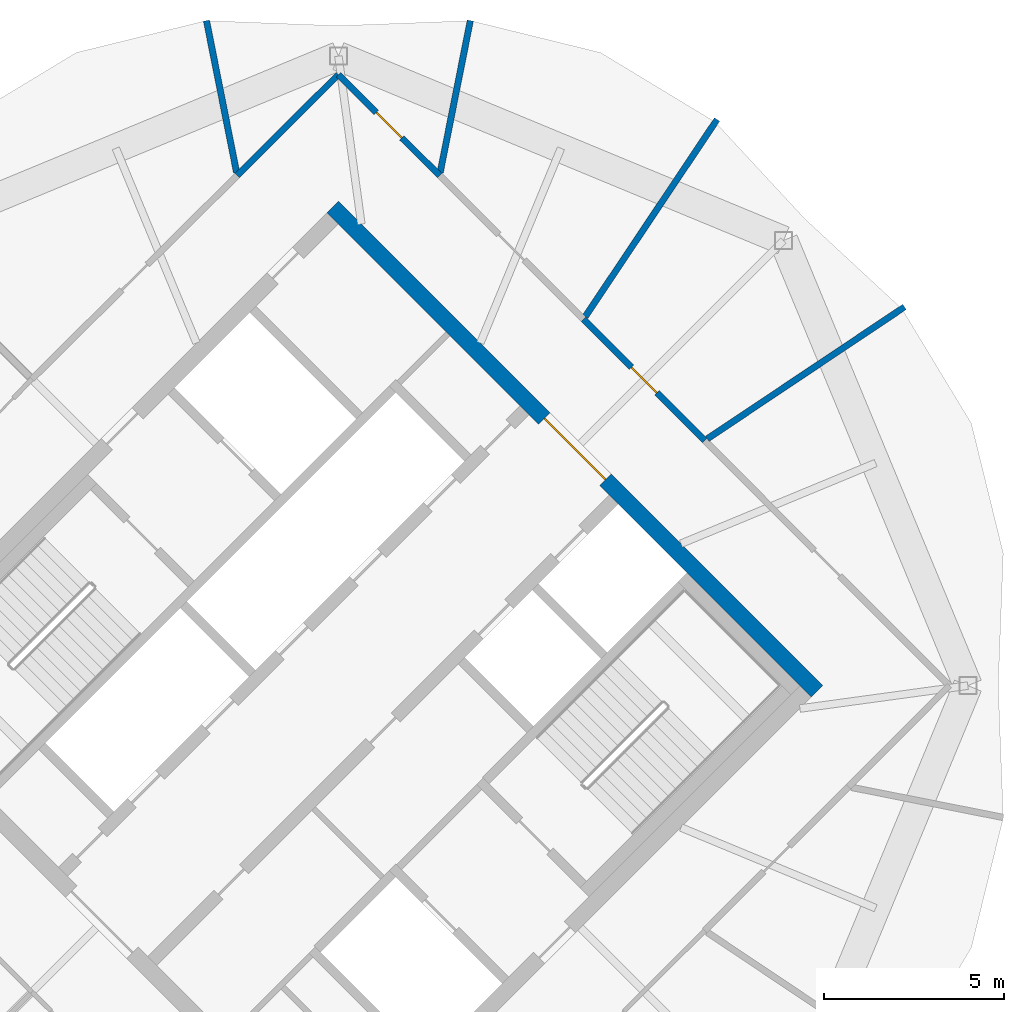
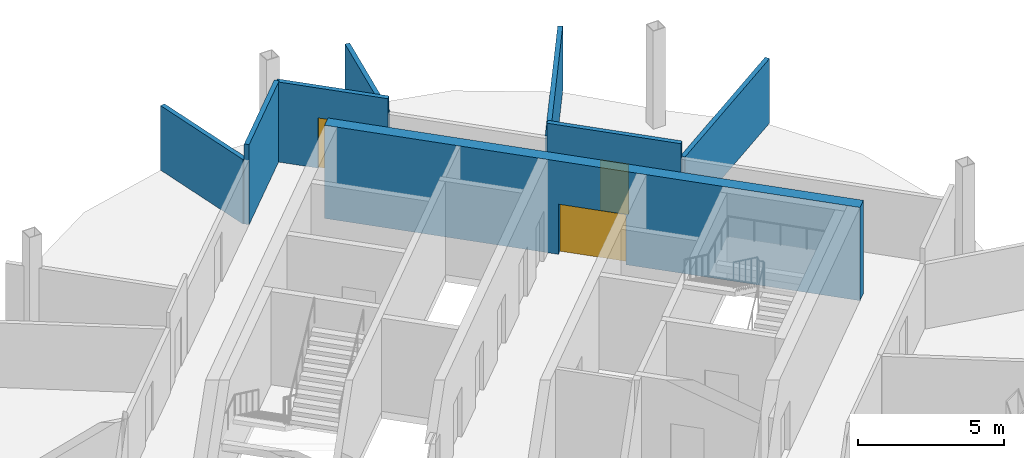
# One storey, part 9 of 11: 8 walls, 3 doors, 3 openings.
"""IFC4 building model written with IfcOpenShell, lengths in metres."""

from ifc_helpers import new_model, si_unit, direction, frame, frame_2d, origin, place, context, subcontext, project, spatial, rectangle, extrude, material, layer, layer_set, type_object, element, fill, save


model = new_model("IFC4")

# Units and contexts
model_context = context("Model", 3, precision=1e-05, world=origin(), true_north=direction((0.0, 1.0)))
body_context = subcontext(model_context, "Body", "Model", "MODEL_VIEW")
ifc_project = project(units=[si_unit("LENGTHUNIT", "METRE"), si_unit("AREAUNIT", "SQUARE_METRE"), si_unit("VOLUMEUNIT", "CUBIC_METRE"), si_unit("PLANEANGLEUNIT", "RADIAN"), si_unit("MASSUNIT", "GRAM", prefix="KILO")], contexts=[model_context])

# Site, building, storey
site_placement = place(None, origin())
site = spatial("IfcSite", under=ifc_project, at=site_placement, CompositionType="ELEMENT")
building_placement = place(site_placement, origin())
building = spatial("IfcBuilding", under=site, at=building_placement, Name="Ogive Gate Towers", CompositionType="ELEMENT")
storey_placement = place(building_placement, frame((0.0, 0.0, 289.800048828125)))
storey = spatial("IfcBuildingStorey", under=building, at=storey_placement, Name="L68", CompositionType="ELEMENT", Elevation=289.800048828125)

# Walls
ifc_material_1 = material(Name="Gypsum board acoustic partition")
ifc_layer_1 = layer(ifc_material_1, 0.175048828125)
ifc_layer_set_1 = layer_set([ifc_layer_1], Name="Acoustic partition 175")
wall_type_1 = type_object("IfcWallType", Name="Acoustic partition 175", PredefinedType="PARTITIONING", material=ifc_layer_set_1)
for number, where, z_axis, x_axis, name in (
    (1, (51.697509765625, 10.5, 0.0), (0.0, 0.0, 1.0), (-0.831198479299, -0.555975798045, 0.0), "Partition T2-L68-001"),
    (2, (46.5, 15.697509765625, 0.0), (0.0, 0.0, 1.0), (-0.555975798045, -0.831198479299, 0.0), "Partition T2-L68-002"),
):
    element("IfcWall", number, at=place(storey_placement, frame(where, z_axis=z_axis, x_axis=x_axis)), inside=storey, type_object=wall_type_1, Name=name, PredefinedType="PARTITIONING", context=body_context, shape_type="SweptSolid", body=[
        extrude(rectangle(XDim=6.57763671875, YDim=0.175048828125, at=frame_2d((3.288818359375, 0.0))), origin(), (0.0, 0.0, 1.0), 2.699951171875),
    ])
for number, where, z_axis, x_axis, name in (
    (3, (39.658203125, 18.440185546875, 0.0), (0.0, 0.0, 1.0), (-0.194562365851, -0.980890149708, 0.0), "Partition T2-L68-003"),
    (4, (32.341796875, 18.440185546875, 0.0), (0.0, 0.0, 1.0), (0.194562365851, -0.980890149708, 0.0), "Partition T2-L68-004"),
):
    element("IfcWall", number, at=place(storey_placement, frame(where, z_axis=z_axis, x_axis=x_axis)), inside=storey, type_object=wall_type_1, Name=name, PredefinedType="PARTITIONING", context=body_context, shape_type="SweptSolid", body=[
        extrude(rectangle(XDim=4.29150390625, YDim=0.175048828125, at=frame_2d((2.145751953125, 0.0))), origin(), (0.0, 0.0, 1.0), 2.699951171875),
    ])

# Wall, opening, door
wall_1_placement = place(storey_placement, frame((46.15771484375, 6.79443359375, 0.0), z_axis=(0.0, 0.0, 1.0), x_axis=(-0.707106781187, 0.707106781187, 0.0)))
wall_1 = element("IfcWall", 5, at=wall_1_placement, inside=storey, type_object=wall_type_1, Name="Partition T2-L68-019", PredefinedType="PARTITIONING", context=body_context, shape_type="SweptSolid", body=[
    extrude(rectangle(XDim=4.75634765625, YDim=0.175048828125, at=frame_2d((2.378173828125, 0.0))), origin(), (0.0, 0.0, 1.0), 3.349853515625),
])
opening_1_placement = place(wall_1_placement, frame((1.8779296875, 0.0, 0.0)))
opening_1 = element("IfcOpeningElement", 6, at=opening_1_placement, cuts=wall_1, Name="Opening T2-L68-D04", PredefinedType="OPENING", context=body_context, shape_type="SweptSolid", body=[
    extrude(rectangle(XDim=1.0, YDim=2.10009765625, at=frame_2d((0.5, 1.050048828125))), frame((0.0, 0.09765625, 0.0), z_axis=(0.0, -1.0, 0.0), x_axis=(1.0, 0.0, 0.0)), (0.0, 0.0, 1.0), 0.195068359375),
])
ifc_material_2 = material(Name="Timber door", Category="wood")
door_type_1 = type_object("IfcDoorType", Name="Door 1000", OperationType="NOTDEFINED", PredefinedType="DOOR", material=ifc_material_2)
door_1_placement = place(opening_1_placement, origin())
door_1 = element("IfcDoor", 7, at=door_1_placement, inside=storey, type_object=door_type_1, Name="Door T2-L68-D04", OperationType="SINGLE_SWING_RIGHT", OverallHeight=2.10009765625, OverallWidth=1.0, PredefinedType="DOOR", context=body_context, shape_type="SweptSolid", body=[
    extrude(rectangle(XDim=1.0, YDim=2.10009765625, at=frame_2d((0.5, 1.050048828125))), frame((0.0, 0.02490234375, 0.0), z_axis=(0.0, -1.0, 0.0), x_axis=(1.0, 0.0, 0.0)), (0.0, 0.0, 1.0), 0.050048828125),
])
fill(opening_1, door_1)

wall_2_placement = place(storey_placement, frame((38.80615234375, 14.144775390625, 0.0), z_axis=(0.0, 0.0, 1.0), x_axis=(-0.708184193267, 0.706027724956, 0.0)))
wall_2 = element("IfcWall", 8, at=wall_2_placement, inside=storey, type_object=wall_type_1, Name="Partition T2-L68-021", PredefinedType="PARTITIONING", context=body_context, shape_type="SweptSolid", body=[
    extrude(rectangle(XDim=3.96240234375, YDim=0.175048828125, at=frame_2d((1.981201171875, 0.0))), origin(), (0.0, 0.0, 1.0), 3.349853515625),
])
opening_2_placement = place(wall_2_placement, frame((1.48095703125, 0.0, 0.0)))
opening_2 = element("IfcOpeningElement", 9, at=opening_2_placement, cuts=wall_2, Name="Opening T2-L68-D06", PredefinedType="OPENING", context=body_context, shape_type="SweptSolid", body=[
    extrude(rectangle(XDim=1.0, YDim=2.10009765625, at=frame_2d((0.5, 1.050048828125))), frame((0.0, 0.09765625, 0.0), z_axis=(0.0, -1.0, 0.0), x_axis=(1.0, 0.0, 0.0)), (0.0, 0.0, 1.0), 0.195068359375),
])
door_2_placement = place(opening_2_placement, origin())
door_2 = element("IfcDoor", 10, at=door_2_placement, inside=storey, type_object=door_type_1, Name="Door T2-L68-D06", OperationType="SINGLE_SWING_RIGHT", OverallHeight=2.10009765625, OverallWidth=1.0, PredefinedType="DOOR", context=body_context, shape_type="SweptSolid", body=[
    extrude(rectangle(XDim=1.0, YDim=2.10009765625, at=frame_2d((0.5, 1.050048828125))), frame((0.0, 0.02490234375, 0.0), z_axis=(0.0, -1.0, 0.0), x_axis=(1.0, 0.0, 0.0)), (0.0, 0.0, 1.0), 0.050048828125),
])
fill(opening_2, door_2)

# Wall
wall_3_placement = place(storey_placement, frame((36.0, 16.9423828125, 0.0), z_axis=(0.0, 0.0, 1.0), x_axis=(-0.708184193267, -0.706027724956, 0.0)))
element("IfcWall", 11, at=wall_3_placement, inside=storey, type_object=wall_type_1, Name="Partition T2-L68-022", PredefinedType="PARTITIONING", context=body_context, shape_type="SweptSolid", body=[
    extrude(rectangle(XDim=3.96240234375, YDim=0.175048828125, at=frame_2d((1.981201171875, 0.0))), origin(), (0.0, 0.0, 1.0), 3.349853515625),
])

# Wall, opening, door
ifc_material_3 = material(Name="Concrete C60/75", Category="concrete")
ifc_layer_2 = layer(ifc_material_3, 0.449951171875)
ifc_layer_set_2 = layer_set([ifc_layer_2], Name="Core wall 450 mm")
wall_type_2 = type_object("IfcWallType", Name="Core wall 450 mm", PredefinedType="SHEAR", material=ifc_layer_set_2)
wall_4_placement = place(storey_placement, frame((49.27587890625, -0.1591796875, 0.0), z_axis=(0.0, 0.0, 1.0), x_axis=(-0.707106781187, 0.707106781187, 0.0)))
wall_4 = element("IfcWall", 12, at=wall_4_placement, inside=storey, type_object=wall_type_2, Name="T2 L68 Core wall 450 mm", PredefinedType="SHEAR", context=body_context, shape_type="SweptSolid", body=[
    extrude(rectangle(XDim=19.0, YDim=0.449951171875, at=frame_2d((9.5, 0.0))), origin(), (0.0, 0.0, 1.0), 3.89990234375),
])
opening_3_placement = place(wall_4_placement, frame((8.300048828125, 0.0, 0.0)))
opening_3 = element("IfcOpeningElement", 13, at=opening_3_placement, cuts=wall_4, Name="Opening KD-T2-L68-02", PredefinedType="OPENING", context=body_context, shape_type="SweptSolid", body=[
    extrude(rectangle(XDim=2.39990234375, YDim=2.10009765625, at=frame_2d((1.199951171875, 1.050048828125))), frame((0.0, 0.23486328125, 0.0), z_axis=(0.0, -1.0, 0.0), x_axis=(1.0, 0.0, 0.0)), (0.0, 0.0, 1.0), 0.469970703125),
])
ifc_material_4 = material(Name="Steel fire door", Category="steel")
door_type_2 = type_object("IfcDoorType", Name="Core double door FD60S 2400 x 2100", OperationType="DOUBLE_DOOR_SINGLE_SWING", PredefinedType="DOOR", material=ifc_material_4)
door_3_placement = place(opening_3_placement, origin())
door_3 = element("IfcDoor", 14, at=door_3_placement, inside=storey, type_object=door_type_2, Name="T2 L68 Core door double", OperationType="DOUBLE_DOOR_SINGLE_SWING", OverallHeight=2.10009765625, OverallWidth=2.39990234375, PredefinedType="DOOR", context=body_context, shape_type="SweptSolid", body=[
    extrude(rectangle(XDim=2.39990234375, YDim=2.10009765625, at=frame_2d((1.199951171875, 1.050048828125))), frame((0.0, 0.02490234375, 0.0), z_axis=(0.0, -1.0, 0.0), x_axis=(1.0, 0.0, 0.0)), (0.0, 0.0, 1.0), 0.050048828125),
])
fill(opening_3, door_3)

save(model, "model.ifc")
